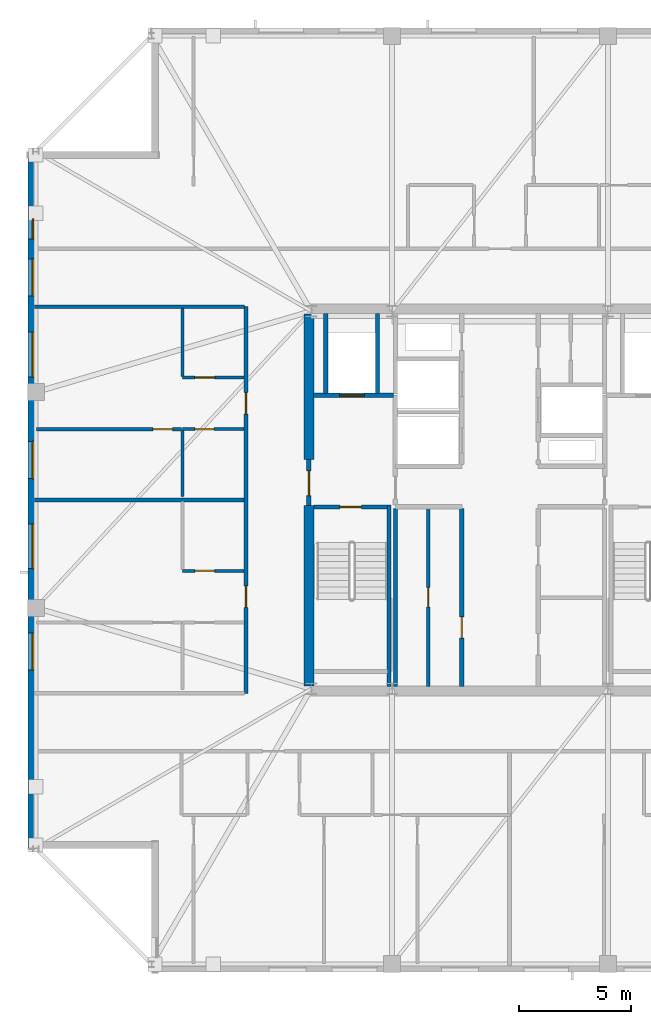
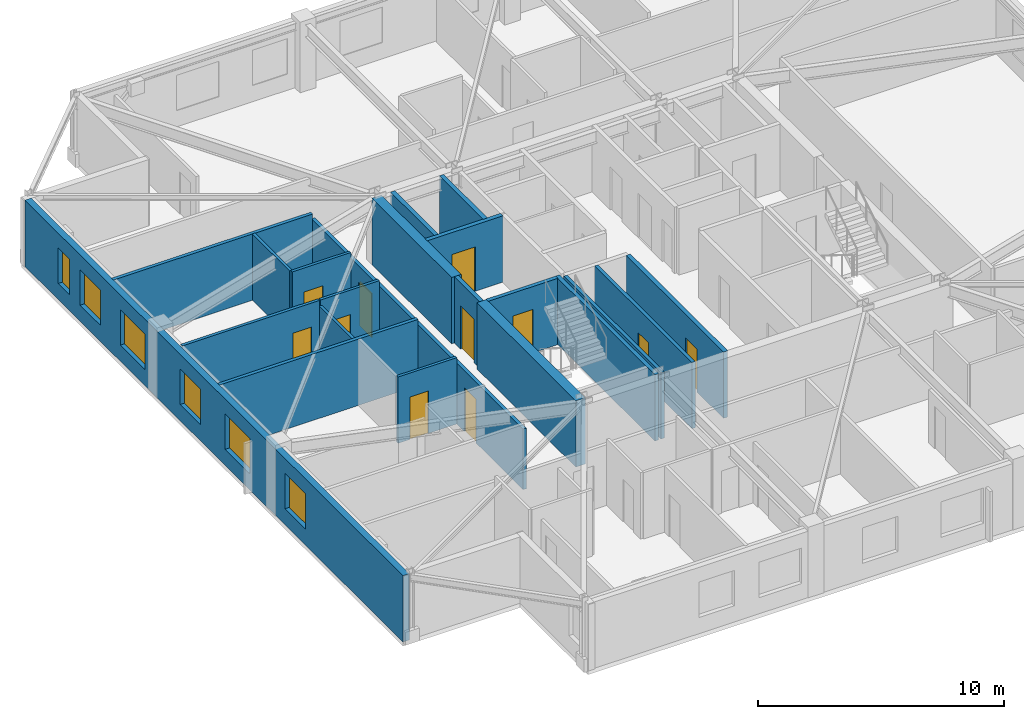
# One storey, part 8 of 14: 21 walls, 11 doors, 6 windows, 17 openings.
"""IFC4 building model written with IfcOpenShell, lengths in metres."""

from ifc_helpers import new_model, si_unit, direction, frame, frame_2d, origin, place, context, subcontext, project, spatial, rectangle, extrude, material, layer, layer_set, type_object, element, fill, save


model = new_model("IFC4")

# Units and contexts
model_context = context("Model", 3, precision=1e-05, world=origin(), true_north=direction((0.0, 1.0)))
body_context = subcontext(model_context, "Body", "Model", "MODEL_VIEW")
ifc_project = project(units=[si_unit("LENGTHUNIT", "METRE"), si_unit("AREAUNIT", "SQUARE_METRE"), si_unit("VOLUMEUNIT", "CUBIC_METRE"), si_unit("PLANEANGLEUNIT", "RADIAN"), si_unit("MASSUNIT", "GRAM", prefix="KILO")], contexts=[model_context])

# Site, building, storey
site_placement = place(None, origin())
site = spatial("IfcSite", under=ifc_project, at=site_placement, CompositionType="ELEMENT")
building_placement = place(site_placement, origin())
building = spatial("IfcBuilding", under=site, at=building_placement, Name="Cairnveth Concourse Tower", CompositionType="ELEMENT")
storey_placement = place(building_placement, frame((0.0, 0.0, 294.5)))
storey = spatial("IfcBuildingStorey", under=building, at=storey_placement, Name="L81", CompositionType="ELEMENT", Elevation=294.5)

# Wall
ifc_material_1 = material(Name="Gypsum Plasterboard Partition", Category="gypsum")
ifc_layer_1 = layer(ifc_material_1, 0.159912109375)
ifc_layer_set_1 = layer_set([ifc_layer_1], Name="Gypsum Plasterboard Partition")
wall_type_1 = type_object("IfcWallType", Name="ACOUSTIC PARTY WALL 180", PredefinedType="PARTITIONING", material=ifc_layer_set_1)
wall_1_placement = place(storey_placement, frame((47.35009765625, 30.7099609375, 0.0), z_axis=(0.0, 0.0, 1.0), x_axis=(0.0, 1.0, 0.0)))
element("IfcWall", 1, at=wall_1_placement, inside=storey, type_object=wall_type_1, Name="Interior Wall IW-L81-025", PredefinedType="PARTITIONING", context=body_context, shape_type="SweptSolid", body=[
    extrude(rectangle(XDim=7.905029296875, YDim=0.159912109375, at=frame_2d((3.95263671875, 0.0))), origin(), (0.0, 0.0, 1.0), 3.2900390625),
])

# Wall, opening, door
wall_2_placement = place(storey_placement, frame((48.800048828125, 30.7099609375, 0.0), z_axis=(0.0, 0.0, 1.0), x_axis=(0.0, 1.0, 0.0)))
wall_2 = element("IfcWall", 2, at=wall_2_placement, inside=storey, type_object=wall_type_1, Name="Interior Wall IW-L81-026", PredefinedType="PARTITIONING", context=body_context, shape_type="SweptSolid", body=[
    extrude(rectangle(XDim=7.905029296875, YDim=0.159912109375, at=frame_2d((3.95263671875, 0.0))), origin(), (0.0, 0.0, 1.0), 3.2900390625),
])
opening_1_placement = place(wall_2_placement, frame((3.5400390625, 0.0, 0.0)))
opening_1 = element("IfcOpeningElement", 3, at=opening_1_placement, cuts=wall_2, Name="Opening ID19", PredefinedType="OPENING", context=body_context, shape_type="SweptSolid", body=[
    extrude(rectangle(XDim=0.85009765625, YDim=2.1201171875, at=frame_2d((0.425048828125, 1.06005859375))), frame((0.0, 0.08984375, 0.0), z_axis=(0.0, -1.0, 0.0), x_axis=(1.0, 0.0, 0.0)), (0.0, 0.0, 1.0), 0.179931640625),
])
ifc_material_2 = material(Name="Steel Grade 350", Category="steel")
door_type_1 = type_object("IfcDoorType", Name="CORE SERVICE DOOR 850X2100", OperationType="NOTDEFINED", PredefinedType="DOOR", material=ifc_material_2)
door_1_placement = place(opening_1_placement, origin())
door_1 = element("IfcDoor", 4, at=door_1_placement, inside=storey, type_object=door_type_1, Name="Inner Store Door L81", OperationType="SINGLE_SWING_RIGHT", OverallHeight=2.1201171875, OverallWidth=0.85009765625, PredefinedType="DOOR", context=body_context, shape_type="SweptSolid", body=[
    extrude(rectangle(XDim=0.85009765625, YDim=2.1201171875, at=frame_2d((0.425048828125, 1.06005859375))), frame((0.0, 0.02490234375, 0.0), z_axis=(0.0, -1.0, 0.0), x_axis=(1.0, 0.0, 0.0)), (0.0, 0.0, 1.0), 0.050048828125),
])
fill(opening_1, door_1)

# Wall, openings, doors
wall_3_placement = place(storey_placement, frame((40.699951171875, 30.39990234375, 0.0), z_axis=(0.0, 0.0, 1.0), x_axis=(0.0, 1.0, 0.0)))
wall_3 = element("IfcWall", 5, at=wall_3_placement, inside=storey, type_object=wall_type_1, Name="Interior Wall IW-L81-038", PredefinedType="PARTITIONING", context=body_context, shape_type="SweptSolid", body=[
    extrude(rectangle(XDim=17.2001953125, YDim=0.159912109375, at=frame_2d((8.60009765625, 0.0))), origin(), (0.0, 0.0, 1.0), 3.009033203125),
])
opening_2_placement = place(wall_3_placement, frame((3.820068359375, 0.0, 0.0)))
opening_2 = element("IfcOpeningElement", 6, at=opening_2_placement, cuts=wall_3, Name="Opening ID10", PredefinedType="OPENING", context=body_context, shape_type="SweptSolid", body=[
    extrude(rectangle(XDim=0.9599609375, YDim=2.179931640625, at=frame_2d((0.47998046875, 1.08984375))), frame((0.0, 0.08984375, 0.0), z_axis=(0.0, -1.0, 0.0), x_axis=(1.0, 0.0, 0.0)), (0.0, 0.0, 1.0), 0.179931640625),
])
opening_3_placement = place(wall_3_placement, frame((12.419921875, 0.0, 0.0)))
opening_3 = element("IfcOpeningElement", 7, at=opening_3_placement, cuts=wall_3, Name="Opening ID10", PredefinedType="OPENING", context=body_context, shape_type="SweptSolid", body=[
    extrude(rectangle(XDim=0.9599609375, YDim=2.179931640625, at=frame_2d((0.47998046875, 1.08984375))), frame((0.0, 0.08984375, 0.0), z_axis=(0.0, -1.0, 0.0), x_axis=(1.0, 0.0, 0.0)), (0.0, 0.0, 1.0), 0.179931640625),
])
ifc_material_3 = material(Name="Solid Core Hardwood Timber Leaf", Category="wood")
door_type_2 = type_object("IfcDoorType", Name="FLAT ENTRANCE DOOR 960X2150", OperationType="NOTDEFINED", PredefinedType="DOOR", material=ifc_material_3)
door_2_placement = place(opening_2_placement, origin())
door_2 = element("IfcDoor", 8, at=door_2_placement, inside=storey, type_object=door_type_2, Name="Penthouse L81PW1 Entrance Door", OperationType="SINGLE_SWING_LEFT", OverallHeight=2.179931640625, OverallWidth=0.9599609375, PredefinedType="DOOR", context=body_context, shape_type="SweptSolid", body=[
    extrude(rectangle(XDim=0.9599609375, YDim=2.179931640625, at=frame_2d((0.47998046875, 1.08984375))), frame((0.0, 0.02490234375, 0.0), z_axis=(0.0, -1.0, 0.0), x_axis=(1.0, 0.0, 0.0)), (0.0, 0.0, 1.0), 0.050048828125),
])
fill(opening_2, door_2)
door_3_placement = place(opening_3_placement, origin())
door_3 = element("IfcDoor", 9, at=door_3_placement, inside=storey, type_object=door_type_2, Name="Penthouse L81PW2 Entrance Door", OperationType="SINGLE_SWING_LEFT", OverallHeight=2.179931640625, OverallWidth=0.9599609375, PredefinedType="DOOR", context=body_context, shape_type="SweptSolid", body=[
    extrude(rectangle(XDim=0.9599609375, YDim=2.179931640625, at=frame_2d((0.47998046875, 1.08984375))), frame((0.0, 0.02490234375, 0.0), z_axis=(0.0, -1.0, 0.0), x_axis=(1.0, 0.0, 0.0)), (0.0, 0.0, 1.0), 0.050048828125),
])
fill(opening_3, door_3)

# Walls
wall_4_placement = place(storey_placement, frame((31.284912109375, 47.60009765625, 0.0), z_axis=(0.0, 0.0, 1.0), x_axis=(1.0, 0.0, 0.0)))
element("IfcWall", 10, at=wall_4_placement, inside=storey, type_object=wall_type_1, Name="Interior Wall IW-L81-041", PredefinedType="PARTITIONING", context=body_context, shape_type="SweptSolid", body=[
    extrude(rectangle(XDim=9.35009765625, YDim=0.159912109375, at=frame_2d((4.675048828125, 0.0))), origin(), (0.0, 0.0, 1.0), 3.2900390625),
])
wall_5_placement = place(storey_placement, frame((31.284912109375, 39.0, 0.0), z_axis=(0.0, 0.0, 1.0), x_axis=(1.0, 0.0, 0.0)))
element("IfcWall", 11, at=wall_5_placement, inside=storey, type_object=wall_type_1, Name="Interior Wall IW-L81-076", PredefinedType="PARTITIONING", context=body_context, shape_type="SweptSolid", body=[
    extrude(rectangle(XDim=9.335205078125, YDim=0.159912109375, at=frame_2d((4.66748046875, 0.0))), origin(), (0.0, 0.0, 1.0), 3.2900390625),
])
ifc_material_4 = material(Name="Concrete N65 (65 MPa)", Category="concrete")
ifc_layer_2 = layer(ifc_material_4, 0.449951171875)
ifc_layer_set_2 = layer_set([ifc_layer_2], Name="Concrete N65 (65 MPa)")
wall_type_2 = type_object("IfcWallType", Name="CORE SHEAR WALL 450", PredefinedType="SHEAR", material=ifc_layer_set_2)
wall_6_placement = place(storey_placement, frame((43.5, 30.715087890625, 0.0), z_axis=(0.0, 0.0, 1.0), x_axis=(0.0, 1.0, 0.0)))
element("IfcWall", 12, at=wall_6_placement, inside=storey, type_object=wall_type_2, Name="Core West Shear Wall S L81", PredefinedType="SHEAR", context=body_context, shape_type="SweptSolid", body=[
    extrude(rectangle(XDim=8.034912109375, YDim=0.449951171875, at=frame_2d((4.017578125, 0.0))), origin(), (0.0, 0.0, 1.0), 3.2900390625),
])
wall_7_placement = place(storey_placement, frame((43.5, 40.800048828125, 0.0), z_axis=(0.0, 0.0, 1.0), x_axis=(0.0, 1.0, 0.0)))
element("IfcWall", 13, at=wall_7_placement, inside=storey, type_object=wall_type_2, Name="Core West Shear Wall N L81", PredefinedType="SHEAR", context=body_context, shape_type="SweptSolid", body=[
    extrude(rectangle(XDim=6.48486328125, YDim=0.449951171875, at=frame_2d((3.242431640625, 0.0))), origin(), (0.0, 0.0, 1.0), 3.2900390625),
])

# Wall, opening, door
ifc_material_5 = material(Name="Concrete N50 (50 MPa)", Category="concrete")
ifc_layer_3 = layer(ifc_material_5, 0.179931640625)
ifc_layer_set_3 = layer_set([ifc_layer_3], Name="Concrete N50 (50 MPa)")
wall_type_3 = type_object("IfcWallType", Name="FIRE SHAFT WALL 180", PredefinedType="SOLIDWALL", material=ifc_layer_set_3)
wall_8_placement = place(storey_placement, frame((43.715087890625, 38.68994140625, 0.0), z_axis=(0.0, 0.0, 1.0), x_axis=(1.0, 0.0, 0.0)))
wall_8 = element("IfcWall", 14, at=wall_8_placement, inside=storey, type_object=wall_type_3, Name="Stair ST-1 Shaft Wall NEAR L81", PredefinedType="SOLIDWALL", context=body_context, shape_type="SweptSolid", body=[
    extrude(rectangle(XDim=3.280029296875, YDim=0.179931640625, at=frame_2d((1.64013671875, 0.0))), origin(), (0.0, 0.0, 1.0), 3.2900390625),
])
opening_4_placement = place(wall_8_placement, frame((1.1650390625, 0.0, 0.0)))
opening_4 = element("IfcOpeningElement", 15, at=opening_4_placement, cuts=wall_8, Name="Opening ID12", PredefinedType="OPENING", context=body_context, shape_type="SweptSolid", body=[
    extrude(rectangle(XDim=0.949951171875, YDim=2.14990234375, at=frame_2d((0.47509765625, 1.074951171875))), frame((0.0, 0.099853515625, 0.0), z_axis=(0.0, -1.0, 0.0), x_axis=(1.0, 0.0, 0.0)), (0.0, 0.0, 1.0), 0.199951171875),
])
door_type_3 = type_object("IfcDoorType", Name="FIRE STAIR DOOR 950X2150", OperationType="NOTDEFINED", PredefinedType="DOOR", material=ifc_material_2)
door_4_placement = place(opening_4_placement, origin())
door_4 = element("IfcDoor", 16, at=door_4_placement, inside=storey, type_object=door_type_3, Name="Stair ST-1 Fire Door L81", OperationType="SINGLE_SWING_LEFT", OverallHeight=2.14990234375, OverallWidth=0.949951171875, PredefinedType="DOOR", context=body_context, shape_type="SweptSolid", body=[
    extrude(rectangle(XDim=0.949951171875, YDim=2.14990234375, at=frame_2d((0.47509765625, 1.074951171875))), frame((0.0, 0.02490234375, 0.0), z_axis=(0.0, -1.0, 0.0), x_axis=(1.0, 0.0, 0.0)), (0.0, 0.0, 1.0), 0.050048828125),
])
fill(opening_4, door_4)

# Wall
wall_9_placement = place(storey_placement, frame((47.070068359375, 38.780029296875, 0.0), z_axis=(0.0, 0.0, 1.0), x_axis=(0.0, -1.0, 0.0)))
element("IfcWall", 17, at=wall_9_placement, inside=storey, type_object=wall_type_3, Name="Stair ST-1 Shaft Wall RGHT L81", PredefinedType="SOLIDWALL", context=body_context, shape_type="SweptSolid", body=[
    extrude(rectangle(XDim=8.067138671875, YDim=0.179931640625, at=frame_2d((4.03369140625, 0.0))), origin(), (0.0, 0.0, 1.0), 3.2900390625),
])

# Wall, opening, door
ifc_layer_4 = layer(ifc_material_5, 0.199951171875)
ifc_layer_set_4 = layer_set([ifc_layer_4], Name="Concrete N50 (50 MPa)")
wall_type_4 = type_object("IfcWallType", Name="FIRE SHAFT WALL 200", PredefinedType="SOLIDWALL", material=ifc_layer_set_4)
wall_10_placement = place(storey_placement, frame((50.300048828125, 30.7099609375, 0.0), z_axis=(0.0, 0.0, 1.0), x_axis=(0.0, 1.0, 0.0)))
wall_10 = element("IfcWall", 18, at=wall_10_placement, inside=storey, type_object=wall_type_4, Name="Interior Wall IW-L81-011", PredefinedType="SOLIDWALL", context=body_context, shape_type="SweptSolid", body=[
    extrude(rectangle(XDim=7.905029296875, YDim=0.199951171875, at=frame_2d((3.95263671875, 0.0))), origin(), (0.0, 0.0, 1.0), 3.2900390625),
])
opening_5_placement = place(wall_10_placement, frame((2.139892578125, 0.0, 0.0)))
opening_5 = element("IfcOpeningElement", 19, at=opening_5_placement, cuts=wall_10, Name="Opening ID25", PredefinedType="OPENING", context=body_context, shape_type="SweptSolid", body=[
    extrude(rectangle(XDim=0.949951171875, YDim=2.1201171875, at=frame_2d((0.47509765625, 1.06005859375))), frame((0.0, 0.10986328125, 0.0), z_axis=(0.0, -1.0, 0.0), x_axis=(1.0, 0.0, 0.0)), (0.0, 0.0, 1.0), 0.219970703125),
])
door_type_4 = type_object("IfcDoorType", Name="CORE ACCESSIBLE FIRE DOOR 950X2120", OperationType="NOTDEFINED", PredefinedType="DOOR", material=ifc_material_2)
door_5_placement = place(opening_5_placement, origin())
door_5 = element("IfcDoor", 20, at=door_5_placement, inside=storey, type_object=door_type_4, Name="Accessible WC Suite Door L81", OperationType="SINGLE_SWING_LEFT", OverallHeight=2.1201171875, OverallWidth=0.949951171875, PredefinedType="DOOR", context=body_context, shape_type="SweptSolid", body=[
    extrude(rectangle(XDim=0.949951171875, YDim=2.1201171875, at=frame_2d((0.47509765625, 1.06005859375))), frame((0.0, 0.02490234375, 0.0), z_axis=(0.0, -1.0, 0.0), x_axis=(1.0, 0.0, 0.0)), (0.0, 0.0, 1.0), 0.050048828125),
])
fill(opening_5, door_5)

wall_11_placement = place(storey_placement, frame((43.5, 38.75, 0.0), z_axis=(0.0, 0.0, 1.0), x_axis=(0.0, 1.0, 0.0)))
wall_11 = element("IfcWall", 21, at=wall_11_placement, inside=storey, type_object=wall_type_4, Name="Interior Wall IW-L81-015", PredefinedType="SOLIDWALL", context=body_context, shape_type="SweptSolid", body=[
    extrude(rectangle(XDim=2.050048828125, YDim=0.199951171875, at=frame_2d((1.02490234375, 0.0))), origin(), (0.0, 0.0, 1.0), 3.2900390625),
])
opening_6_placement = place(wall_11_placement, frame((0.449951171875, 0.0, 0.0)))
opening_6 = element("IfcOpeningElement", 22, at=opening_6_placement, cuts=wall_11, Name="Opening ID06", PredefinedType="OPENING", context=body_context, shape_type="SweptSolid", body=[
    extrude(rectangle(XDim=1.10009765625, YDim=2.14990234375, at=frame_2d((0.550048828125, 1.074951171875))), frame((0.0, 0.10986328125, 0.0), z_axis=(0.0, -1.0, 0.0), x_axis=(1.0, 0.0, 0.0)), (0.0, 0.0, 1.0), 0.219970703125),
])
door_type_5 = type_object("IfcDoorType", Name="FIRE CORRIDOR DOOR 1100X2150", OperationType="NOTDEFINED", PredefinedType="DOOR", material=ifc_material_2)
door_6_placement = place(opening_6_placement, origin())
door_6 = element("IfcDoor", 23, at=door_6_placement, inside=storey, type_object=door_type_5, Name="West Wing to FF Lobby Door L81", OperationType="SINGLE_SWING_LEFT", OverallHeight=2.14990234375, OverallWidth=1.10009765625, PredefinedType="DOOR", context=body_context, shape_type="SweptSolid", body=[
    extrude(rectangle(XDim=1.10009765625, YDim=2.14990234375, at=frame_2d((0.550048828125, 1.074951171875))), frame((0.0, 0.02490234375, 0.0), z_axis=(0.0, -1.0, 0.0), x_axis=(1.0, 0.0, 0.0)), (0.0, 0.0, 1.0), 0.050048828125),
])
fill(opening_6, door_6)

wall_12_placement = place(storey_placement, frame((43.7099609375, 43.64990234375, 0.0), z_axis=(0.0, 0.0, 1.0), x_axis=(1.0, 0.0, 0.0)))
wall_12 = element("IfcWall", 24, at=wall_12_placement, inside=storey, type_object=wall_type_4, Name="Interior Wall IW-L81-017", PredefinedType="SOLIDWALL", context=body_context, shape_type="SweptSolid", body=[
    extrude(rectangle(XDim=3.554931640625, YDim=0.199951171875, at=frame_2d((1.77734375, 0.0))), origin(), (0.0, 0.0, 1.0), 3.2900390625),
])
opening_7_placement = place(wall_12_placement, frame((1.159912109375, 0.0, 0.0)))
opening_7 = element("IfcOpeningElement", 25, at=opening_7_placement, cuts=wall_12, Name="Opening LD-1", PredefinedType="OPENING", context=body_context, shape_type="SweptSolid", body=[
    extrude(rectangle(XDim=1.10009765625, YDim=2.199951171875, at=frame_2d((0.550048828125, 1.10009765625))), frame((0.0, 0.10986328125, 0.0), z_axis=(0.0, -1.0, 0.0), x_axis=(1.0, 0.0, 0.0)), (0.0, 0.0, 1.0), 0.219970703125),
])
ifc_material_6 = material(Name="Architectural Bronze Anodised Aluminium 6063-T6", Category="aluminium")
door_type_6 = type_object("IfcDoorType", Name="LIFT LANDING DOOR 1100X2200", OperationType="SLIDING_TO_LEFT", PredefinedType="DOOR", material=ifc_material_6)
door_7_placement = place(opening_7_placement, origin())
door_7 = element("IfcDoor", 26, at=door_7_placement, inside=storey, type_object=door_type_6, Name="Lift FFL1 Landing Door L81", OperationType="SLIDING_TO_LEFT", OverallHeight=2.199951171875, OverallWidth=1.10009765625, PredefinedType="DOOR", context=body_context, shape_type="SweptSolid", body=[
    extrude(rectangle(XDim=1.10009765625, YDim=2.199951171875, at=frame_2d((0.550048828125, 1.10009765625))), frame((0.0, 0.02490234375, 0.0), z_axis=(0.0, -1.0, 0.0), x_axis=(1.0, 0.0, 0.0)), (0.0, 0.0, 1.0), 0.050048828125),
])
fill(opening_7, door_7)

# Walls
for number, where, z_axis, x_axis, name in (
    (27, (46.550048828125, 43.735107421875, 0.0), (0.0, 0.0, 1.0), (0.0, 1.0, 0.0), "Interior Wall IW-L81-018"),
    (28, (44.25, 43.735107421875, 0.0), (0.0, 0.0, 1.0), (0.0, 1.0, 0.0), "Interior Wall IW-L81-019"),
):
    element("IfcWall", number, at=place(storey_placement, frame(where, z_axis=z_axis, x_axis=x_axis)), inside=storey, type_object=wall_type_4, Name=name, PredefinedType="SOLIDWALL", context=body_context, shape_type="SweptSolid", body=[
        extrude(rectangle(XDim=3.554931640625, YDim=0.199951171875, at=frame_2d((1.77734375, 0.0))), origin(), (0.0, 0.0, 1.0), 3.2900390625),
    ])

# Wall, opening, door
ifc_layer_5 = layer(ifc_material_1, 0.139892578125)
ifc_layer_set_5 = layer_set([ifc_layer_5], Name="Gypsum Plasterboard Partition")
wall_type_5 = type_object("IfcWallType", Name="GYPSUM STUD PARTITION 140", PredefinedType="PARTITIONING", material=ifc_layer_set_5)
wall_13_placement = place(storey_placement, frame((31.3798828125, 42.14990234375, 0.0), z_axis=(0.0, 0.0, 1.0), x_axis=(1.0, 0.0, 0.0)))
wall_13 = element("IfcWall", 29, at=wall_13_placement, inside=storey, type_object=wall_type_5, Name="Interior Wall IW-L81-086", PredefinedType="PARTITIONING", context=body_context, shape_type="SweptSolid", body=[
    extrude(rectangle(XDim=6.440185546875, YDim=0.139892578125, at=frame_2d((3.22021484375, 0.0))), origin(), (0.0, 0.0, 1.0), 3.2900390625),
])
opening_8_placement = place(wall_13_placement, frame((5.179931640625, 0.0, 0.0)))
opening_8 = element("IfcOpeningElement", 30, at=opening_8_placement, cuts=wall_13, Name="Opening ID18", PredefinedType="OPENING", context=body_context, shape_type="SweptSolid", body=[
    extrude(rectangle(XDim=0.8798828125, YDim=2.10009765625, at=frame_2d((0.43994140625, 1.050048828125))), frame((0.0, 0.079833984375, 0.0), z_axis=(0.0, -1.0, 0.0), x_axis=(1.0, 0.0, 0.0)), (0.0, 0.0, 1.0), 0.159912109375),
])
door_type_7 = type_object("IfcDoorType", Name="INTERIOR SINGLE DOOR 880X2100", OperationType="NOTDEFINED", PredefinedType="DOOR", material=ifc_material_3)
door_8_placement = place(opening_8_placement, origin())
door_8 = element("IfcDoor", 31, at=door_8_placement, inside=storey, type_object=door_type_7, Name="L81PW2 Master Bedroom Door", OperationType="SINGLE_SWING_RIGHT", OverallHeight=2.10009765625, OverallWidth=0.8798828125, PredefinedType="DOOR", context=body_context, shape_type="SweptSolid", body=[
    extrude(rectangle(XDim=0.8798828125, YDim=2.10009765625, at=frame_2d((0.43994140625, 1.050048828125))), frame((0.0, 0.02490234375, 0.0), z_axis=(0.0, -1.0, 0.0), x_axis=(1.0, 0.0, 0.0)), (0.0, 0.0, 1.0), 0.050048828125),
])
fill(opening_8, door_8)

ifc_layer_6 = layer(ifc_material_1, 0.1298828125)
ifc_layer_set_6 = layer_set([ifc_layer_6], Name="Gypsum Plasterboard Partition")
wall_type_6 = type_object("IfcWallType", Name="WET AREA PARTITION 140", PredefinedType="PLUMBINGWALL", material=ifc_layer_set_6)
wall_14_placement = place(storey_placement, frame((37.8701171875, 35.85009765625, 0.0), z_axis=(0.0, 0.0, 1.0), x_axis=(1.0, 0.0, 0.0)))
wall_14 = element("IfcWall", 32, at=wall_14_placement, inside=storey, type_object=wall_type_6, Name="Interior Wall IW-L81-079", PredefinedType="PLUMBINGWALL", context=body_context, shape_type="SweptSolid", body=[
    extrude(rectangle(XDim=2.75, YDim=0.1298828125, at=frame_2d((1.375, 0.0))), origin(), (0.0, 0.0, 1.0), 3.2900390625),
])
opening_9_placement = place(wall_14_placement, frame((0.550048828125, 0.0, 0.0)))
opening_9 = element("IfcOpeningElement", 33, at=opening_9_placement, cuts=wall_14, Name="Opening ID18", PredefinedType="OPENING", context=body_context, shape_type="SweptSolid", body=[
    extrude(rectangle(XDim=0.8798828125, YDim=2.10009765625, at=frame_2d((0.43994140625, 1.050048828125))), frame((0.0, 0.074951171875, 0.0), z_axis=(0.0, -1.0, 0.0), x_axis=(1.0, 0.0, 0.0)), (0.0, 0.0, 1.0), 0.14990234375),
])
door_9_placement = place(opening_9_placement, origin())
door_9 = element("IfcDoor", 34, at=door_9_placement, inside=storey, type_object=door_type_7, Name="L81PW1 Kitchen Door", OperationType="SINGLE_SWING_LEFT", OverallHeight=2.10009765625, OverallWidth=0.8798828125, PredefinedType="DOOR", context=body_context, shape_type="SweptSolid", body=[
    extrude(rectangle(XDim=0.8798828125, YDim=2.10009765625, at=frame_2d((0.43994140625, 1.050048828125))), frame((0.0, 0.02490234375, 0.0), z_axis=(0.0, -1.0, 0.0), x_axis=(1.0, 0.0, 0.0)), (0.0, 0.0, 1.0), 0.050048828125),
])
fill(opening_9, door_9)

wall_15_placement = place(storey_placement, frame((37.8701171875, 42.14990234375, 0.0), z_axis=(0.0, 0.0, 1.0), x_axis=(1.0, 0.0, 0.0)))
wall_15 = element("IfcWall", 35, at=wall_15_placement, inside=storey, type_object=wall_type_6, Name="Interior Wall IW-L81-082", PredefinedType="PLUMBINGWALL", context=body_context, shape_type="SweptSolid", body=[
    extrude(rectangle(XDim=2.75, YDim=0.1298828125, at=frame_2d((1.375, 0.0))), origin(), (0.0, 0.0, 1.0), 3.2900390625),
])
opening_10_placement = place(wall_15_placement, frame((0.550048828125, 0.0, 0.0)))
opening_10 = element("IfcOpeningElement", 36, at=opening_10_placement, cuts=wall_15, Name="Opening ID21", PredefinedType="OPENING", context=body_context, shape_type="SweptSolid", body=[
    extrude(rectangle(XDim=0.85009765625, YDim=2.080078125, at=frame_2d((0.425048828125, 1.0400390625))), frame((0.0, 0.074951171875, 0.0), z_axis=(0.0, -1.0, 0.0), x_axis=(1.0, 0.0, 0.0)), (0.0, 0.0, 1.0), 0.14990234375),
])
door_type_8 = type_object("IfcDoorType", Name="INTERIOR WC DOOR 850X2100", OperationType="NOTDEFINED", PredefinedType="DOOR", material=ifc_material_3)
door_10_placement = place(opening_10_placement, origin())
door_10 = element("IfcDoor", 37, at=door_10_placement, inside=storey, type_object=door_type_8, Name="L81PW2 Bathroom Door", OperationType="SINGLE_SWING_RIGHT", OverallHeight=2.080078125, OverallWidth=0.85009765625, PredefinedType="DOOR", context=body_context, shape_type="SweptSolid", body=[
    extrude(rectangle(XDim=0.85009765625, YDim=2.080078125, at=frame_2d((0.425048828125, 1.0400390625))), frame((0.0, 0.02490234375, 0.0), z_axis=(0.0, -1.0, 0.0), x_axis=(1.0, 0.0, 0.0)), (0.0, 0.0, 1.0), 0.050048828125),
])
fill(opening_10, door_10)

# Wall
wall_16_placement = place(storey_placement, frame((37.8701171875, 39.159912109375, 0.0), z_axis=(0.0, 0.0, 1.0), x_axis=(0.0, 1.0, 0.0)))
element("IfcWall", 38, at=wall_16_placement, inside=storey, type_object=wall_type_6, Name="Interior Wall IW-L81-083", PredefinedType="PLUMBINGWALL", context=body_context, shape_type="SweptSolid", body=[
    extrude(rectangle(XDim=2.940185546875, YDim=0.1298828125, at=frame_2d((1.47021484375, 0.0))), origin(), (0.0, 0.0, 1.0), 3.009033203125),
])

# Wall, opening, door
wall_17_placement = place(storey_placement, frame((37.8701171875, 44.449951171875, 0.0), z_axis=(0.0, 0.0, 1.0), x_axis=(1.0, 0.0, 0.0)))
wall_17 = element("IfcWall", 39, at=wall_17_placement, inside=storey, type_object=wall_type_6, Name="Interior Wall IW-L81-084", PredefinedType="PLUMBINGWALL", context=body_context, shape_type="SweptSolid", body=[
    extrude(rectangle(XDim=2.75, YDim=0.1298828125, at=frame_2d((1.375, 0.0))), origin(), (0.0, 0.0, 1.0), 3.2900390625),
])
opening_11_placement = place(wall_17_placement, frame((0.550048828125, 0.0, 0.0)))
opening_11 = element("IfcOpeningElement", 40, at=opening_11_placement, cuts=wall_17, Name="Opening ID18", PredefinedType="OPENING", context=body_context, shape_type="SweptSolid", body=[
    extrude(rectangle(XDim=0.8798828125, YDim=2.10009765625, at=frame_2d((0.43994140625, 1.050048828125))), frame((0.0, 0.074951171875, 0.0), z_axis=(0.0, -1.0, 0.0), x_axis=(1.0, 0.0, 0.0)), (0.0, 0.0, 1.0), 0.14990234375),
])
door_11_placement = place(opening_11_placement, origin())
door_11 = element("IfcDoor", 41, at=door_11_placement, inside=storey, type_object=door_type_7, Name="L81PW2 Kitchen Door", OperationType="SINGLE_SWING_LEFT", OverallHeight=2.10009765625, OverallWidth=0.8798828125, PredefinedType="DOOR", context=body_context, shape_type="SweptSolid", body=[
    extrude(rectangle(XDim=0.8798828125, YDim=2.10009765625, at=frame_2d((0.43994140625, 1.050048828125))), frame((0.0, 0.02490234375, 0.0), z_axis=(0.0, -1.0, 0.0), x_axis=(1.0, 0.0, 0.0)), (0.0, 0.0, 1.0), 0.050048828125),
])
fill(opening_11, door_11)

# Wall
wall_18_placement = place(storey_placement, frame((37.8701171875, 44.5, 0.0), z_axis=(0.0, 0.0, 1.0), x_axis=(0.0, 1.0, 0.0)))
element("IfcWall", 42, at=wall_18_placement, inside=storey, type_object=wall_type_6, Name="Interior Wall IW-L81-085", PredefinedType="PLUMBINGWALL", context=body_context, shape_type="SweptSolid", body=[
    extrude(rectangle(XDim=3.034912109375, YDim=0.1298828125, at=frame_2d((1.517578125, 0.0))), origin(), (0.0, 0.0, 1.0), 3.2900390625),
])

# Wall, openings, windows
ifc_material_7 = material(Name="Hawthorn Red-Ochre Fired Clay Brick Masonry", Category="masonry")
ifc_layer_7 = layer(ifc_material_7, 0.300048828125)
ifc_layer_set_7 = layer_set([ifc_layer_7], Name="Hawthorn Red-Ochre Fired Clay Brick Masonry")
wall_type_7 = type_object("IfcWallType", Name="ZONE 4 BRICK PIER SPANDREL WALL 300", PredefinedType="SOLIDWALL", material=ifc_layer_set_7)
wall_19_placement = place(storey_placement, frame((31.14990234375, 23.5, 0.0), z_axis=(0.0, 0.0, 1.0), x_axis=(0.0, 1.0, 0.0)))
wall_19 = element("IfcWall", 43, at=wall_19_placement, inside=storey, type_object=wall_type_7, Name="Exterior Wall EW-L81-S06", PredefinedType="SOLIDWALL", context=body_context, shape_type="SweptSolid", body=[
    extrude(rectangle(XDim=30.721923828125, YDim=0.300048828125, at=frame_2d((15.36083984375, 0.0))), origin(), (0.0, 0.0, 1.0), 3.2900390625),
])
opening_12_placement = place(wall_19_placement, frame((7.930419921875, 0.0, 0.800048828125)))
opening_12 = element("IfcOpeningElement", 44, at=opening_12_placement, cuts=wall_19, Name="Opening W04", PredefinedType="OPENING", context=body_context, shape_type="SweptSolid", body=[
    extrude(rectangle(XDim=1.64990234375, YDim=1.758056640625, at=frame_2d((0.824951171875, 0.87890625))), frame((0.0, 0.159912109375, 0.0), z_axis=(0.0, -1.0, 0.0), x_axis=(1.0, 0.0, 0.0)), (0.0, 0.0, 1.0), 0.320068359375),
])
opening_13_placement = place(wall_19_placement, frame((12.4423828125, 0.0, 0.800048828125)))
opening_13 = element("IfcOpeningElement", 45, at=opening_13_placement, cuts=wall_19, Name="Opening W09", PredefinedType="OPENING", context=body_context, shape_type="SweptSolid", body=[
    extrude(rectangle(XDim=2.0, YDim=1.758056640625, at=frame_2d((1.0, 0.87890625))), frame((0.0, 0.159912109375, 0.0), z_axis=(0.0, -1.0, 0.0), x_axis=(1.0, 0.0, 0.0)), (0.0, 0.0, 1.0), 0.320068359375),
])
opening_14_placement = place(wall_19_placement, frame((16.45458984375, 0.0, 0.800048828125)))
opening_14 = element("IfcOpeningElement", 46, at=opening_14_placement, cuts=wall_19, Name="Opening W04", PredefinedType="OPENING", context=body_context, shape_type="SweptSolid", body=[
    extrude(rectangle(XDim=1.64990234375, YDim=1.758056640625, at=frame_2d((0.824951171875, 0.87890625))), frame((0.0, 0.159912109375, 0.0), z_axis=(0.0, -1.0, 0.0), x_axis=(1.0, 0.0, 0.0)), (0.0, 0.0, 1.0), 0.320068359375),
])
opening_15_placement = place(wall_19_placement, frame((20.966552734375, 0.0, 0.800048828125)))
opening_15 = element("IfcOpeningElement", 47, at=opening_15_placement, cuts=wall_19, Name="Opening W09", PredefinedType="OPENING", context=body_context, shape_type="SweptSolid", body=[
    extrude(rectangle(XDim=2.0, YDim=1.758056640625, at=frame_2d((1.0, 0.87890625))), frame((0.0, 0.159912109375, 0.0), z_axis=(0.0, -1.0, 0.0), x_axis=(1.0, 0.0, 0.0)), (0.0, 0.0, 1.0), 0.320068359375),
])
opening_16_placement = place(wall_19_placement, frame((24.57861328125, 0.0, 0.800048828125)))
opening_16 = element("IfcOpeningElement", 48, at=opening_16_placement, cuts=wall_19, Name="Opening W04", PredefinedType="OPENING", context=body_context, shape_type="SweptSolid", body=[
    extrude(rectangle(XDim=1.64990234375, YDim=1.758056640625, at=frame_2d((0.824951171875, 0.87890625))), frame((0.0, 0.159912109375, 0.0), z_axis=(0.0, -1.0, 0.0), x_axis=(1.0, 0.0, 0.0)), (0.0, 0.0, 1.0), 0.320068359375),
])
opening_17_placement = place(wall_19_placement, frame((27.110107421875, 0.0, 0.800048828125)))
opening_17 = element("IfcOpeningElement", 49, at=opening_17_placement, cuts=wall_19, Name="Opening W13", PredefinedType="OPENING", context=body_context, shape_type="SweptSolid", body=[
    extrude(rectangle(XDim=0.89990234375, YDim=1.75, at=frame_2d((0.449951171875, 0.875))), frame((0.0, 0.159912109375, 0.0), z_axis=(0.0, -1.0, 0.0), x_axis=(1.0, 0.0, 0.0)), (0.0, 0.0, 1.0), 0.320068359375),
])
ifc_material_8 = material(Name="Double Glazed Low-E Clear Glass", Category="glass")
window_type_1 = type_object("IfcWindowType", Name="DEEP-SET BEDROOM LANCET WINDOW 900X1750", PartitioningType="DOUBLE_PANEL_VERTICAL", PredefinedType="WINDOW", material=ifc_material_8)
window_1_placement = place(opening_17_placement, origin())
window_1 = element("IfcWindow", 50, at=window_1_placement, inside=storey, type_object=window_type_1, Name="Dwelling Lancet Window L81-DW3", OverallHeight=1.75, OverallWidth=0.89990234375, PartitioningType="SINGLE_PANEL", PredefinedType="WINDOW", context=body_context, shape_type="SweptSolid", body=[
    extrude(rectangle(XDim=0.89990234375, YDim=1.75, at=frame_2d((0.449951171875, 0.875))), frame((0.0, -0.0400390625, 0.0), z_axis=(0.0, -1.0, 0.0), x_axis=(1.0, 0.0, 0.0)), (0.0, 0.0, 1.0), 0.06005859375),
])
fill(opening_17, window_1)
window_type_2 = type_object("IfcWindowType", Name="DEEP-SET GOTHIC LANCET WINDOW 1650X1850", PartitioningType="DOUBLE_PANEL_VERTICAL", PredefinedType="WINDOW", material=ifc_material_8)
window_2_placement = place(opening_12_placement, origin())
window_2 = element("IfcWindow", 51, at=window_2_placement, inside=storey, type_object=window_type_2, Name="Gothic Lancet Window L81-6-2", OverallHeight=1.758056640625, OverallWidth=1.64990234375, PartitioningType="SINGLE_PANEL", PredefinedType="WINDOW", context=body_context, shape_type="SweptSolid", body=[
    extrude(rectangle(XDim=1.64990234375, YDim=1.758056640625, at=frame_2d((0.824951171875, 0.87890625))), frame((0.0, -0.050048828125, 0.0), z_axis=(0.0, -1.0, 0.0), x_axis=(1.0, 0.0, 0.0)), (0.0, 0.0, 1.0), 0.06005859375),
])
fill(opening_12, window_2)
window_3_placement = place(opening_14_placement, origin())
window_3 = element("IfcWindow", 52, at=window_3_placement, inside=storey, type_object=window_type_2, Name="Gothic Lancet Window L81-6-4", OverallHeight=1.758056640625, OverallWidth=1.64990234375, PartitioningType="SINGLE_PANEL", PredefinedType="WINDOW", context=body_context, shape_type="SweptSolid", body=[
    extrude(rectangle(XDim=1.64990234375, YDim=1.758056640625, at=frame_2d((0.824951171875, 0.87890625))), frame((0.0, -0.050048828125, 0.0), z_axis=(0.0, -1.0, 0.0), x_axis=(1.0, 0.0, 0.0)), (0.0, 0.0, 1.0), 0.06005859375),
])
fill(opening_14, window_3)
window_4_placement = place(opening_16_placement, origin())
window_4 = element("IfcWindow", 53, at=window_4_placement, inside=storey, type_object=window_type_2, Name="Gothic Lancet Window L81-6-6", OverallHeight=1.758056640625, OverallWidth=1.64990234375, PartitioningType="SINGLE_PANEL", PredefinedType="WINDOW", context=body_context, shape_type="SweptSolid", body=[
    extrude(rectangle(XDim=1.64990234375, YDim=1.758056640625, at=frame_2d((0.824951171875, 0.87890625))), frame((0.0, -0.050048828125, 0.0), z_axis=(0.0, -1.0, 0.0), x_axis=(1.0, 0.0, 0.0)), (0.0, 0.0, 1.0), 0.06005859375),
])
fill(opening_16, window_4)
window_type_3 = type_object("IfcWindowType", Name="DEEP-SET PENTHOUSE LANCET WINDOW 2000X1850", PartitioningType="DOUBLE_PANEL_VERTICAL", PredefinedType="WINDOW", material=ifc_material_8)
window_5_placement = place(opening_13_placement, origin())
window_5 = element("IfcWindow", 54, at=window_5_placement, inside=storey, type_object=window_type_3, Name="Gothic Lancet Window L81-6-3", OverallHeight=1.758056640625, OverallWidth=2.0, PartitioningType="SINGLE_PANEL", PredefinedType="WINDOW", context=body_context, shape_type="SweptSolid", body=[
    extrude(rectangle(XDim=2.0, YDim=1.758056640625, at=frame_2d((1.0, 0.87890625))), frame((0.0, -0.050048828125, 0.0), z_axis=(0.0, -1.0, 0.0), x_axis=(1.0, 0.0, 0.0)), (0.0, 0.0, 1.0), 0.06005859375),
])
fill(opening_13, window_5)
window_6_placement = place(opening_15_placement, origin())
window_6 = element("IfcWindow", 55, at=window_6_placement, inside=storey, type_object=window_type_3, Name="Gothic Lancet Window L81-6-5", OverallHeight=1.758056640625, OverallWidth=2.0, PartitioningType="SINGLE_PANEL", PredefinedType="WINDOW", context=body_context, shape_type="SweptSolid", body=[
    extrude(rectangle(XDim=2.0, YDim=1.758056640625, at=frame_2d((1.0, 0.87890625))), frame((0.0, -0.050048828125, 0.0), z_axis=(0.0, -1.0, 0.0), x_axis=(1.0, 0.0, 0.0)), (0.0, 0.0, 1.0), 0.06005859375),
])
fill(opening_15, window_6)

save(model, "model.ifc")
